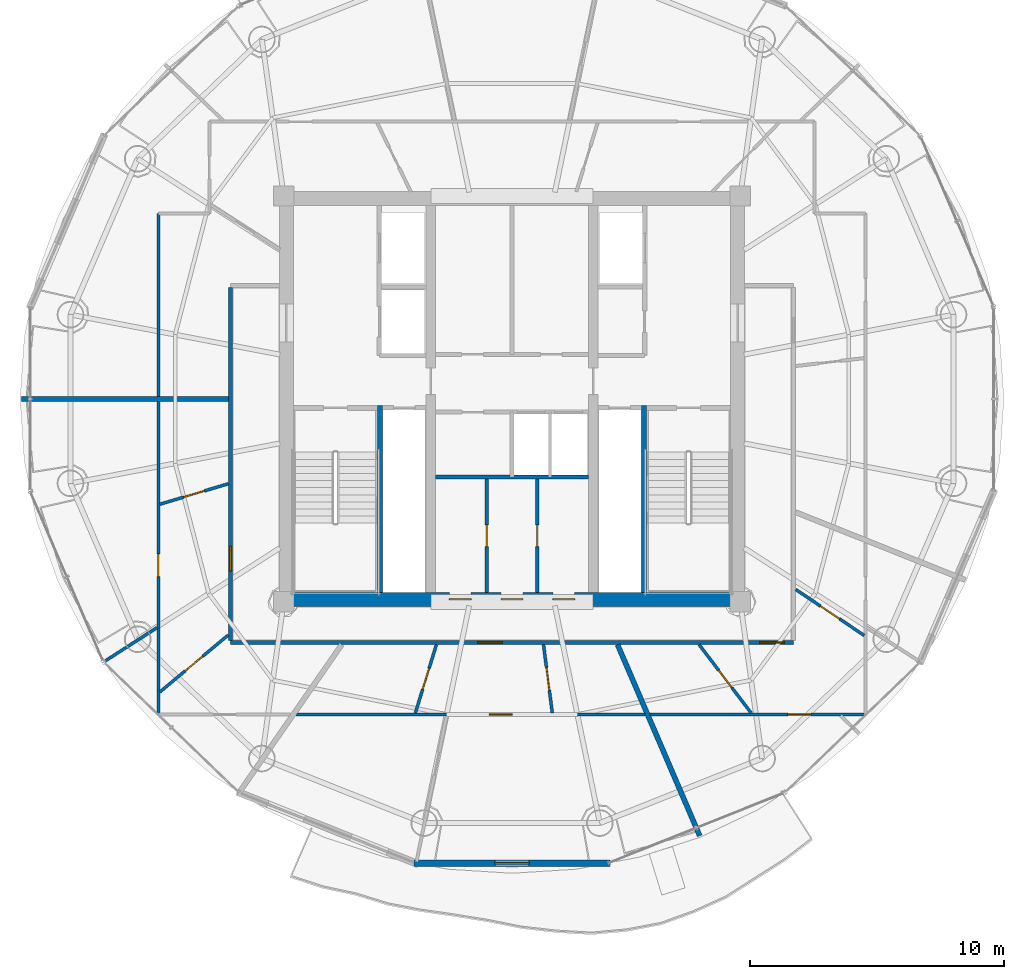
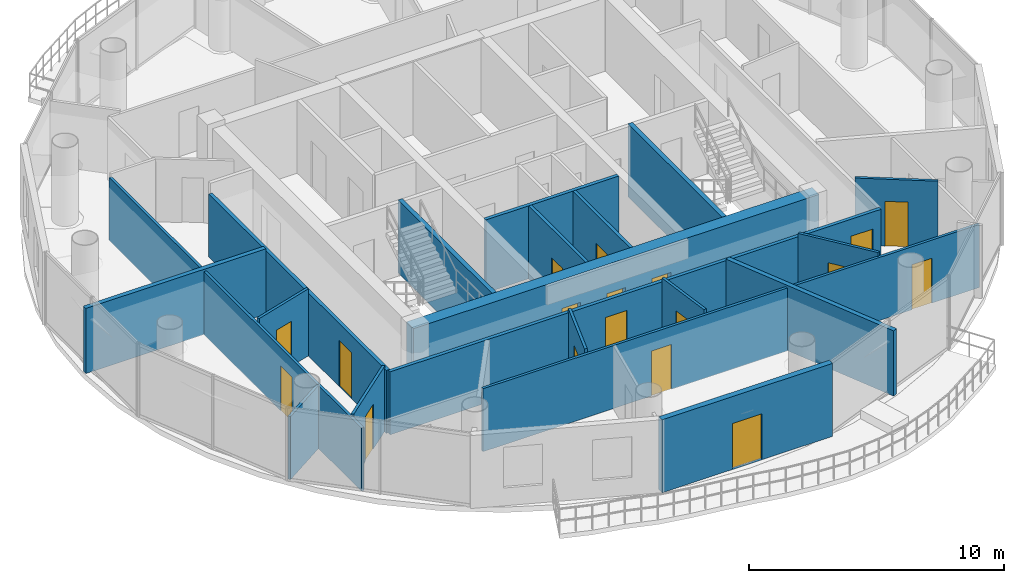
# One storey, part 18 of 24: 22 walls, 18 doors, 18 openings.
"""IFC4 building model written with IfcOpenShell, lengths in metres."""

from ifc_helpers import new_model, si_unit, direction, frame, frame_2d, origin, place, context, subcontext, project, spatial, rectangle, extrude, source, transform, mapped, material, layer, layer_set, type_object, element, fill, save


model = new_model("IFC4")

# Units and contexts
model_context = context("Model", 3, precision=1e-05, world=origin(), true_north=direction((-0.2419218956, 0.970295726276)))
body_context = subcontext(model_context, "Body", "Model", "MODEL_VIEW")
ifc_project = project(units=[si_unit("LENGTHUNIT", "METRE"), si_unit("AREAUNIT", "SQUARE_METRE"), si_unit("VOLUMEUNIT", "CUBIC_METRE"), si_unit("PLANEANGLEUNIT", "RADIAN"), si_unit("MASSUNIT", "GRAM", prefix="KILO")], contexts=[model_context])

# Site, building, storey
site_placement = place(None, origin())
site = spatial("IfcSite", under=ifc_project, at=site_placement, CompositionType="ELEMENT")
building_placement = place(site_placement, origin())
building = spatial("IfcBuilding", under=site, at=building_placement, Name="Cobrevalo Terracotta Tower", CompositionType="ELEMENT")
storey_placement = place(building_placement, frame((0.0, 0.0, 278.199951171875)))
storey = spatial("IfcBuildingStorey", under=building, at=storey_placement, Name="L73", CompositionType="ELEMENT", Elevation=278.199951171875)

# Wall, openings, doors
ifc_material_1 = material(Name="Concrete C50", Category="concrete")
ifc_layer_1 = layer(ifc_material_1, 0.550048828125)
ifc_layer_set_1 = layer_set([ifc_layer_1], Name="Concrete C50")
wall_type_1 = type_object("IfcWallType", Name="Core shear wall 550 mm Concrete C50", PredefinedType="SHEAR", material=ifc_layer_set_1)
wall_1_placement = place(storey_placement, frame((28.824951171875, 18.89990234375, 0.0), z_axis=(0.0, 0.0, 1.0), x_axis=(1.0, 0.0, 0.0)))
wall_1 = element("IfcWall", 1, at=wall_1_placement, inside=storey, type_object=wall_type_1, Name="L73 south core shear wall", PredefinedType="SHEAR", context=body_context, shape_type="SweptSolid", body=[
    extrude(rectangle(XDim=18.35009765625, YDim=0.550048828125, at=frame_2d((9.175048828125, 0.0))), origin(), (0.0, 0.0, 1.0), 3.489990234375),
])
opening_1_placement = place(wall_1_placement, frame((6.7099609375, 0.0, 0.0)))
opening_1 = element("IfcOpeningElement", 2, at=opening_1_placement, cuts=wall_1, Name="Opening ID-22", PredefinedType="OPENING", context=body_context, shape_type="SweptSolid", body=[
    extrude(rectangle(XDim=0.85009765625, YDim=2.10009765625, at=frame_2d((0.425048828125, 1.050048828125))), frame((0.0, 0.28515625, 0.0), z_axis=(0.0, -1.0, 0.0), x_axis=(1.0, 0.0, 0.0)), (0.0, 0.0, 1.0), 0.570068359375),
])
opening_2_placement = place(wall_1_placement, frame((8.75, 0.0, 0.0)))
opening_2 = element("IfcOpeningElement", 3, at=opening_2_placement, cuts=wall_1, Name="Opening ID-22", PredefinedType="OPENING", context=body_context, shape_type="SweptSolid", body=[
    extrude(rectangle(XDim=0.85009765625, YDim=2.10009765625, at=frame_2d((0.425048828125, 1.050048828125))), frame((0.0, 0.28515625, 0.0), z_axis=(0.0, -1.0, 0.0), x_axis=(1.0, 0.0, 0.0)), (0.0, 0.0, 1.0), 0.570068359375),
])
opening_3_placement = place(wall_1_placement, frame((10.7900390625, 0.0, 0.0)))
opening_3 = element("IfcOpeningElement", 4, at=opening_3_placement, cuts=wall_1, Name="Opening ID-22", PredefinedType="OPENING", context=body_context, shape_type="SweptSolid", body=[
    extrude(rectangle(XDim=0.85009765625, YDim=2.10009765625, at=frame_2d((0.425048828125, 1.050048828125))), frame((0.0, 0.28515625, 0.0), z_axis=(0.0, -1.0, 0.0), x_axis=(1.0, 0.0, 0.0)), (0.0, 0.0, 1.0), 0.570068359375),
])
ifc_material_2 = material(Name="Powder-coated steel", Category="steel")
door_type_1 = type_object("IfcDoorType", Name="Riser shaft & meter closet fire access door 850x2100 EI 60", OperationType="NOTDEFINED", PredefinedType="DOOR", material=ifc_material_2)
shared_shape_1 = source(origin(), body_context, "Body", "SweptSolid", [
    extrude(rectangle(XDim=0.85009765625, YDim=2.10009765625, at=frame_2d((0.425048828125, 1.050048828125))), frame((0.0, 0.02490234375, 0.0), z_axis=(0.0, -1.0, 0.0), x_axis=(1.0, 0.0, 0.0)), (0.0, 0.0, 1.0), 0.050048828125),
])
door_1_placement = place(opening_1_placement, origin())
door_1 = element("IfcDoor", 5, at=door_1_placement, inside=storey, type_object=door_type_1, Name="L73 core south plant door HVAC Supply Air Plant", OperationType="SINGLE_SWING_RIGHT", OverallHeight=2.10009765625, OverallWidth=0.85009765625, PredefinedType="DOOR", context=body_context, shape_type="MappedRepresentation", body=[
    mapped(shared_shape_1, transform((0.0, 0.0, 0.0), scale=1.0)),
])
fill(opening_1, door_1)
door_2_placement = place(opening_2_placement, origin())
door_2 = element("IfcDoor", 6, at=door_2_placement, inside=storey, type_object=door_type_1, Name="L73 core south plant door Refuse Chute Store Room", OperationType="SINGLE_SWING_RIGHT", OverallHeight=2.10009765625, OverallWidth=0.85009765625, PredefinedType="DOOR", context=body_context, shape_type="MappedRepresentation", body=[
    mapped(shared_shape_1, transform((0.0, 0.0, 0.0), scale=1.0)),
])
fill(opening_2, door_2)
door_3_placement = place(opening_3_placement, origin())
door_3 = element("IfcDoor", 7, at=door_3_placement, inside=storey, type_object=door_type_1, Name="L73 core south plant door Hydronic Pump Manifold Plant", OperationType="SINGLE_SWING_RIGHT", OverallHeight=2.10009765625, OverallWidth=0.85009765625, PredefinedType="DOOR", context=body_context, shape_type="MappedRepresentation", body=[
    mapped(shared_shape_1, transform((0.0, 0.0, 0.0), scale=1.0)),
])
fill(opening_3, door_3)

# Wall
ifc_material_3 = material(Name="Gypsum board on steel stud", Category="steel")
ifc_layer_2 = layer(ifc_material_3, 0.159912109375)
ifc_layer_set_2 = layer_set([ifc_layer_2], Name="Gypsum board on steel stud")
wall_type_2 = type_object("IfcWallType", Name="Fire-rated corridor acoustic partition wall 160 mm", PredefinedType="PARTITIONING", material=ifc_layer_set_2)
wall_2_placement = place(storey_placement, frame((34.989990234375, 23.719970703125, 0.0), z_axis=(0.0, 0.0, 1.0), x_axis=(1.0, 0.0, 0.0)))
element("IfcWall", 8, at=wall_2_placement, inside=storey, type_object=wall_type_2, Name="L73 interior partition IW-L73-MB-S", PredefinedType="PARTITIONING", context=body_context, shape_type="SweptSolid", body=[
    extrude(rectangle(XDim=6.02001953125, YDim=0.159912109375, at=frame_2d((3.010009765625, 0.0))), origin(), (0.0, 0.0, 1.0), 3.489990234375),
])

# Wall, openings, doors
wall_3_placement = place(storey_placement, frame((26.89501953125, 17.195068359375, 0.0), z_axis=(0.0, 0.0, 1.0), x_axis=(1.0, 0.0, 0.0)))
wall_3 = element("IfcWall", 9, at=wall_3_placement, inside=storey, type_object=wall_type_2, Name="L73 interior partition IW-L73-COR-S", PredefinedType="PARTITIONING", context=body_context, shape_type="SweptSolid", body=[
    extrude(rectangle(XDim=22.2099609375, YDim=0.159912109375, at=frame_2d((11.10498046875, 0.0))), origin(), (0.0, 0.0, 1.0), 3.01513671875),
])
opening_4_placement = place(wall_3_placement, frame((9.746337890625, 0.0, 0.0)))
opening_4 = element("IfcOpeningElement", 10, at=opening_4_placement, cuts=wall_3, Name="Opening ID-05", PredefinedType="OPENING", context=body_context, shape_type="SweptSolid", body=[
    extrude(rectangle(XDim=0.97998046875, YDim=2.199951171875, at=frame_2d((0.489990234375, 1.10009765625))), frame((0.0, 0.08984375, 0.0), z_axis=(0.0, -1.0, 0.0), x_axis=(1.0, 0.0, 0.0)), (0.0, 0.0, 1.0), 0.179931640625),
])
opening_5_placement = place(wall_3_placement, frame((20.8642578125, 0.0, 0.0)))
opening_5 = element("IfcOpeningElement", 11, at=opening_5_placement, cuts=wall_3, Name="Opening ID-05", PredefinedType="OPENING", context=body_context, shape_type="SweptSolid", body=[
    extrude(rectangle(XDim=0.97998046875, YDim=2.199951171875, at=frame_2d((0.489990234375, 1.10009765625))), frame((0.0, 0.08984375, 0.0), z_axis=(0.0, -1.0, 0.0), x_axis=(1.0, 0.0, 0.0)), (0.0, 0.0, 1.0), 0.179931640625),
])
ifc_material_4 = material(Name="Solid hardwood timber", Category="wood")
door_type_2 = type_object("IfcDoorType", Name="Residence entrance fire-rated acoustic timber door 980x2200 EI 60", OperationType="NOTDEFINED", PredefinedType="DOOR", material=ifc_material_4)
shared_shape_2 = source(origin(), body_context, "Body", "SweptSolid", [
    extrude(rectangle(XDim=0.97998046875, YDim=2.199951171875, at=frame_2d((0.489990234375, 1.10009765625))), frame((0.0, 0.02490234375, 0.0), z_axis=(0.0, -1.0, 0.0), x_axis=(1.0, 0.0, 0.0)), (0.0, 0.0, 1.0), 0.050048828125),
])
door_4_placement = place(opening_4_placement, frame((0.97998046875, 0.0, 0.0), z_axis=(0.0, 0.0, 1.0), x_axis=(-1.0, 0.0, 0.0)))
door_4 = element("IfcDoor", 12, at=door_4_placement, inside=storey, type_object=door_type_2, Name="Flat L73C fire-rated apartment entrance door", OperationType="SINGLE_SWING_RIGHT", OverallHeight=2.199951171875, OverallWidth=0.97998046875, PredefinedType="DOOR", context=body_context, shape_type="MappedRepresentation", body=[
    mapped(shared_shape_2, transform((0.0, 0.0, 0.0), scale=1.0)),
])
fill(opening_4, door_4)
door_5_placement = place(opening_5_placement, frame((0.97998046875, 0.0, 0.0), z_axis=(0.0, 0.0, 1.0), x_axis=(-1.0, 0.0, 0.0)))
door_5 = element("IfcDoor", 13, at=door_5_placement, inside=storey, type_object=door_type_2, Name="Flat L73D fire-rated apartment entrance door", OperationType="SINGLE_SWING_LEFT", OverallHeight=2.199951171875, OverallWidth=0.97998046875, PredefinedType="DOOR", context=body_context, shape_type="MappedRepresentation", body=[
    mapped(shared_shape_2, transform((0.0, 0.0, 0.0), scale=1.0)),
])
fill(opening_5, door_5)

# Wall, opening, door
wall_4_placement = place(storey_placement, frame((26.89501953125, 17.27490234375, 0.0), z_axis=(0.0, 0.0, 1.0), x_axis=(0.0, 1.0, 0.0)))
wall_4 = element("IfcWall", 14, at=wall_4_placement, inside=storey, type_object=wall_type_2, Name="L73 interior partition IW-L73-COR-W", PredefinedType="PARTITIONING", context=body_context, shape_type="SweptSolid", body=[
    extrude(rectangle(XDim=13.925048828125, YDim=0.159912109375, at=frame_2d((6.96240234375, 0.0))), origin(), (0.0, 0.0, 1.0), 3.01513671875),
])
opening_6_placement = place(wall_4_placement, frame((2.734619140625, 0.0, 0.0)))
opening_6 = element("IfcOpeningElement", 15, at=opening_6_placement, cuts=wall_4, Name="Opening ID-05", PredefinedType="OPENING", context=body_context, shape_type="SweptSolid", body=[
    extrude(rectangle(XDim=0.97998046875, YDim=2.199951171875, at=frame_2d((0.489990234375, 1.10009765625))), frame((0.0, 0.08984375, 0.0), z_axis=(0.0, -1.0, 0.0), x_axis=(1.0, 0.0, 0.0)), (0.0, 0.0, 1.0), 0.179931640625),
])
door_6_placement = place(opening_6_placement, origin())
door_6 = element("IfcDoor", 16, at=door_6_placement, inside=storey, type_object=door_type_2, Name="Flat L73B fire-rated apartment entrance door", OperationType="SINGLE_SWING_LEFT", OverallHeight=2.199951171875, OverallWidth=0.97998046875, PredefinedType="DOOR", context=body_context, shape_type="MappedRepresentation", body=[
    mapped(shared_shape_2, transform((0.0, 0.0, 0.0), scale=1.0)),
])
fill(opening_6, door_6)

# Walls
ifc_material_5 = material(Name="Autoclaved aerated concrete block", Category="concrete")
ifc_layer_3 = layer(ifc_material_5, 0.199951171875)
ifc_layer_set_3 = layer_set([ifc_layer_3], Name="Autoclaved aerated concrete block")
wall_type_3 = type_object("IfcWallType", Name="Fire-rated stair, shaft & demising masonry wall 200 mm", PredefinedType="PARTITIONING", material=ifc_layer_set_3)
wall_5_placement = place(storey_placement, frame((26.81494140625, 26.800048828125, 0.0), z_axis=(0.0, 0.0, 1.0), x_axis=(-1.0, 0.0, 0.0)))
element("IfcWall", 17, at=wall_5_placement, inside=storey, type_object=wall_type_3, Name="L73 interior partition IW-L73-DEM-2", PredefinedType="PARTITIONING", context=body_context, shape_type="SweptSolid", body=[
    extrude(rectangle(XDim=8.155029296875, YDim=0.199951171875, at=frame_2d((4.07763671875, 0.0))), origin(), (0.0, 0.0, 1.0), 3.12109375),
])
wall_6_placement = place(storey_placement, frame((42.161865234375, 17.114990234375, 0.0), z_axis=(0.0, 0.0, 1.0), x_axis=(0.394795631127, -0.918768964236, 0.0)))
element("IfcWall", 18, at=wall_6_placement, inside=storey, type_object=wall_type_3, Name="L73 interior partition IW-L73-DEM-4", PredefinedType="PARTITIONING", context=body_context, shape_type="SweptSolid", body=[
    extrude(rectangle(XDim=8.202392578125, YDim=0.199951171875, at=frame_2d((4.10107421875, 0.0))), origin(), (0.0, 0.0, 1.0), 3.12109375),
])

# Wall, opening, door
ifc_layer_4 = layer(ifc_material_5, 0.139892578125)
ifc_layer_set_4 = layer_set([ifc_layer_4], Name="Autoclaved aerated concrete block")
wall_type_4 = type_object("IfcWallType", Name="Moisture-resistant wet-room & core service partition 140 mm", PredefinedType="PARTITIONING", material=ifc_layer_set_4)
wall_7_placement = place(storey_placement, frame((37.0, 19.175048828125, 0.0), z_axis=(0.0, 0.0, 1.0), x_axis=(0.0, 1.0, 0.0)))
wall_7 = element("IfcWall", 19, at=wall_7_placement, inside=storey, type_object=wall_type_4, Name="L73 interior partition IW-L73-KVS-V1", PredefinedType="PARTITIONING", context=body_context, shape_type="SweptSolid", body=[
    extrude(rectangle(XDim=4.46484375, YDim=0.139892578125, at=frame_2d((2.232421875, 0.0))), origin(), (0.0, 0.0, 1.0), 3.489990234375),
])
opening_7_placement = place(wall_7_placement, frame((1.8076171875, 0.0, 0.0)))
opening_7 = element("IfcOpeningElement", 20, at=opening_7_placement, cuts=wall_7, Name="Opening ID-22", PredefinedType="OPENING", context=body_context, shape_type="SweptSolid", body=[
    extrude(rectangle(XDim=0.85009765625, YDim=2.10009765625, at=frame_2d((0.425048828125, 1.050048828125))), frame((0.0, 0.080078125, 0.0), z_axis=(0.0, -1.0, 0.0), x_axis=(1.0, 0.0, 0.0)), (0.0, 0.0, 1.0), 0.159912109375),
])
door_7_placement = place(opening_7_placement, origin())
door_7 = element("IfcDoor", 21, at=door_7_placement, inside=storey, type_object=door_type_1, Name="L73 core KVS-V1 inner door", OperationType="SINGLE_SWING_LEFT", OverallHeight=2.10009765625, OverallWidth=0.85009765625, PredefinedType="DOOR", context=body_context, shape_type="MappedRepresentation", body=[
    mapped(shared_shape_1, transform((0.0, 0.0, 0.0), scale=1.0)),
])
fill(opening_7, door_7)

wall_8_placement = place(storey_placement, frame((39.0, 19.175048828125, 0.0), z_axis=(0.0, 0.0, 1.0), x_axis=(0.0, 1.0, 0.0)))
wall_8 = element("IfcWall", 22, at=wall_8_placement, inside=storey, type_object=wall_type_4, Name="L73 interior partition IW-L73-KVS-V2", PredefinedType="PARTITIONING", context=body_context, shape_type="SweptSolid", body=[
    extrude(rectangle(XDim=4.46484375, YDim=0.139892578125, at=frame_2d((2.232421875, 0.0))), origin(), (0.0, 0.0, 1.0), 3.489990234375),
])
opening_8_placement = place(wall_8_placement, frame((1.8076171875, 0.0, 0.0)))
opening_8 = element("IfcOpeningElement", 23, at=opening_8_placement, cuts=wall_8, Name="Opening ID-22", PredefinedType="OPENING", context=body_context, shape_type="SweptSolid", body=[
    extrude(rectangle(XDim=0.85009765625, YDim=2.10009765625, at=frame_2d((0.425048828125, 1.050048828125))), frame((0.0, 0.080078125, 0.0), z_axis=(0.0, -1.0, 0.0), x_axis=(1.0, 0.0, 0.0)), (0.0, 0.0, 1.0), 0.159912109375),
])
door_8_placement = place(opening_8_placement, origin())
door_8 = element("IfcDoor", 24, at=door_8_placement, inside=storey, type_object=door_type_1, Name="L73 core KVS-V2 inner door", OperationType="SINGLE_SWING_LEFT", OverallHeight=2.10009765625, OverallWidth=0.85009765625, PredefinedType="DOOR", context=body_context, shape_type="MappedRepresentation", body=[
    mapped(shared_shape_1, transform((0.0, 0.0, 0.0), scale=1.0)),
])
fill(opening_8, door_8)

ifc_layer_5 = layer(ifc_material_5, 0.260009765625)
ifc_layer_set_5 = layer_set([ifc_layer_5], Name="Autoclaved aerated concrete block")
wall_type_5 = type_object("IfcWallType", Name="Recessed balcony loggia insulated exterior wall 260 mm", PredefinedType="SOLIDWALL", material=ifc_layer_set_5)
wall_9_placement = place(storey_placement, frame((34.14111328125, 8.48876953125, 0.0), z_axis=(0.0, 0.0, 1.0), x_axis=(1.0, 0.0, 0.0)))
wall_9 = element("IfcWall", 25, at=wall_9_placement, inside=storey, type_object=wall_type_5, Name="L73 balcony loggia wall S12", PredefinedType="SOLIDWALL", context=body_context, shape_type="SweptSolid", body=[
    extrude(rectangle(XDim=7.7177734375, YDim=0.260009765625, at=frame_2d((3.85888671875, 0.0))), origin(), (0.0, 0.0, 1.0), 3.489990234375),
])
opening_9_placement = place(wall_9_placement, frame((3.183837890625, 0.0, 0.0)))
opening_9 = element("IfcOpeningElement", 26, at=opening_9_placement, cuts=wall_9, Name="Opening ED-05", PredefinedType="OPENING", context=body_context, shape_type="SweptSolid", body=[
    extrude(rectangle(XDim=1.35009765625, YDim=2.199951171875, at=frame_2d((0.675048828125, 1.10009765625))), frame((0.0, 0.14013671875, 0.0), z_axis=(0.0, -1.0, 0.0), x_axis=(1.0, 0.0, 0.0)), (0.0, 0.0, 1.0), 0.280029296875),
])
ifc_material_6 = material(Name="Anodized aluminium and laminated glass", Category="aluminium")
door_type_3 = type_object("IfcDoorType", Name="Suite balcony acoustic glazed terrace door 1350x2200", OperationType="NOTDEFINED", PredefinedType="DOOR", material=ifc_material_6)
shared_shape_3 = source(origin(), body_context, "Body", "SweptSolid", [
    extrude(rectangle(XDim=1.35009765625, YDim=2.199951171875, at=frame_2d((0.675048828125, 1.10009765625))), frame((0.0, 0.02490234375, 0.0), z_axis=(0.0, -1.0, 0.0), x_axis=(1.0, 0.0, 0.0)), (0.0, 0.0, 1.0), 0.050048828125),
])
door_9_placement = place(opening_9_placement, frame((1.35009765625, 0.0, 0.0), z_axis=(0.0, 0.0, 1.0), x_axis=(-1.0, 0.0, 0.0)))
door_9 = element("IfcDoor", 27, at=door_9_placement, inside=storey, type_object=door_type_3, Name="L73 glazed balcony terrace door 2", OperationType="SINGLE_SWING_RIGHT", OverallHeight=2.199951171875, OverallWidth=1.35009765625, PredefinedType="DOOR", context=body_context, shape_type="MappedRepresentation", body=[
    mapped(shared_shape_3, transform((0.0, 0.0, 0.0), scale=1.0)),
])
fill(opening_9, door_9)

# Wall
ifc_layer_6 = layer(ifc_material_3, 0.1201171875)
ifc_layer_set_6 = layer_set([ifc_layer_6], Name="Gypsum board on steel stud")
wall_type_6 = type_object("IfcWallType", Name="Residential internal acoustic stud partition 120 mm", PredefinedType="PARTITIONING", material=ifc_layer_set_6)
wall_10_placement = place(storey_placement, frame((24.054931640625, 26.902099609375, 0.0), z_axis=(0.0, 0.0, 1.0), x_axis=(0.0, 1.0, 0.0)))
element("IfcWall", 28, at=wall_10_placement, inside=storey, type_object=wall_type_6, Name="L73 interior partition IW-L73-U1-RING0_0", PredefinedType="PARTITIONING", context=body_context, shape_type="SweptSolid", body=[
    extrude(rectangle(XDim=7.218017578125, YDim=0.1201171875, at=frame_2d((3.60888671875, 0.0))), origin(), (0.0, 0.0, 1.0), 3.01513671875),
])

# Wall, opening, door
wall_11_placement = place(storey_placement, frame((24.054931640625, 14.35498046875, 0.0), z_axis=(0.0, 0.0, 1.0), x_axis=(0.0, 1.0, 0.0)))
wall_11 = element("IfcWall", 29, at=wall_11_placement, inside=storey, type_object=wall_type_6, Name="L73 interior partition IW-L73-U2-RING1_0", PredefinedType="PARTITIONING", context=body_context, shape_type="SweptSolid", body=[
    extrude(rectangle(XDim=12.343017578125, YDim=0.1201171875, at=frame_2d((6.17138671875, 0.0))), origin(), (0.0, 0.0, 1.0), 3.01513671875),
])
opening_10_placement = place(wall_11_placement, frame((5.442138671875, 0.0, 0.0)))
opening_10 = element("IfcOpeningElement", 30, at=opening_10_placement, cuts=wall_11, Name="Opening ID-12", PredefinedType="OPENING", context=body_context, shape_type="SweptSolid", body=[
    extrude(rectangle(XDim=0.89990234375, YDim=2.14990234375, at=frame_2d((0.449951171875, 1.074951171875))), frame((0.0, 0.070068359375, 0.0), z_axis=(0.0, -1.0, 0.0), x_axis=(1.0, 0.0, 0.0)), (0.0, 0.0, 1.0), 0.14013671875),
])
ifc_material_7 = material(Name="Engineered timber", Category="wood")
door_type_4 = type_object("IfcDoorType", Name="Internal residence & suite timber door 900x2150", OperationType="NOTDEFINED", PredefinedType="DOOR", material=ifc_material_7)
shared_shape_4 = source(origin(), body_context, "Body", "SweptSolid", [
    extrude(rectangle(XDim=0.89990234375, YDim=2.14990234375, at=frame_2d((0.449951171875, 1.074951171875))), frame((0.0, 0.02490234375, 0.0), z_axis=(0.0, -1.0, 0.0), x_axis=(1.0, 0.0, 0.0)), (0.0, 0.0, 1.0), 0.050048828125),
])
door_10_placement = place(opening_10_placement, origin())
door_10 = element("IfcDoor", 31, at=door_10_placement, inside=storey, type_object=door_type_4, Name="Flat L73B Living and Dining Room internal door", OperationType="SINGLE_SWING_LEFT", OverallHeight=2.14990234375, OverallWidth=0.89990234375, PredefinedType="DOOR", context=body_context, shape_type="MappedRepresentation", body=[
    mapped(shared_shape_4, transform((0.0, 0.0, 0.0), scale=1.0)),
])
fill(opening_10, door_10)

# Wall
wall_12_placement = place(storey_placement, frame((24.0029296875, 17.784912109375, 0.0), z_axis=(0.0, 0.0, 1.0), x_axis=(-0.840715962824, -0.541476379774, 0.0)))
element("IfcWall", 32, at=wall_12_placement, inside=storey, type_object=wall_type_6, Name="L73 interior partition IW-L73-U2-ORAD1", PredefinedType="PARTITIONING", context=body_context, shape_type="SweptSolid", body=[
    extrude(rectangle(XDim=2.43701171875, YDim=0.1201171875, at=frame_2d((1.218505859375, 0.0))), origin(), (0.0, 0.0, 1.0), 3.01513671875),
])

# Wall, opening, door
wall_13_placement = place(storey_placement, frame((26.81494140625, 23.4560546875, 0.0), z_axis=(0.0, 0.0, 1.0), x_axis=(-0.958095258025, -0.286449780154, 0.0)))
wall_13 = element("IfcWall", 33, at=wall_13_placement, inside=storey, type_object=wall_type_6, Name="L73 interior partition IW-L73-U2-IRAD1", PredefinedType="PARTITIONING", context=body_context, shape_type="SweptSolid", body=[
    extrude(rectangle(XDim=2.818603515625, YDim=0.1201171875, at=frame_2d((1.4091796875, 0.0))), origin(), (0.0, 0.0, 1.0), 3.208984375),
])
opening_11_placement = place(wall_13_placement, frame((0.9794921875, 0.0, 0.0)))
opening_11 = element("IfcOpeningElement", 34, at=opening_11_placement, cuts=wall_13, Name="Opening ID-19", PredefinedType="OPENING", context=body_context, shape_type="SweptSolid", body=[
    extrude(rectangle(XDim=0.860107421875, YDim=2.14990234375, at=frame_2d((0.43017578125, 1.074951171875))), frame((0.0, 0.070068359375, 0.0), z_axis=(0.0, -1.0, 0.0), x_axis=(1.0, 0.0, 0.0)), (0.0, 0.0, 1.0), 0.14013671875),
])
ifc_material_8 = material(Name="Moisture-sealed timber", Category="wood")
door_type_5 = type_object("IfcDoorType", Name="Suite bathroom internal timber door 860x2150", OperationType="NOTDEFINED", PredefinedType="DOOR", material=ifc_material_8)
shared_shape_5 = source(origin(), body_context, "Body", "SweptSolid", [
    extrude(rectangle(XDim=0.860107421875, YDim=2.14990234375, at=frame_2d((0.43017578125, 1.074951171875))), frame((0.0, 0.02490234375, 0.0), z_axis=(0.0, -1.0, 0.0), x_axis=(1.0, 0.0, 0.0)), (0.0, 0.0, 1.0), 0.050048828125),
])
door_11_placement = place(opening_11_placement, frame((0.860107421875, 0.0, 0.0), z_axis=(0.0, 0.0, 1.0), x_axis=(-1.0, 0.0, 0.0)))
door_11 = element("IfcDoor", 35, at=door_11_placement, inside=storey, type_object=door_type_5, Name="Flat L73B Primary Bathroom internal door", OperationType="SINGLE_SWING_RIGHT", OverallHeight=2.14990234375, OverallWidth=0.860107421875, PredefinedType="DOOR", context=body_context, shape_type="MappedRepresentation", body=[
    mapped(shared_shape_5, transform((0.0, 0.0, 0.0), scale=1.0)),
])
fill(opening_11, door_11)

wall_14_placement = place(storey_placement, frame((26.81494140625, 17.493408203125, 0.0), z_axis=(0.0, 0.0, 1.0), x_axis=(-0.768708794437, -0.639598928513, 0.0)))
wall_14 = element("IfcWall", 36, at=wall_14_placement, inside=storey, type_object=wall_type_6, Name="L73 interior partition IW-L73-U2-IRAD2", PredefinedType="PARTITIONING", context=body_context, shape_type="SweptSolid", body=[
    extrude(rectangle(XDim=3.528564453125, YDim=0.1201171875, at=frame_2d((1.76416015625, 0.0))), origin(), (0.0, 0.0, 1.0), 3.12109375),
])
opening_12_placement = place(wall_14_placement, frame((1.314208984375, 0.0, 0.0)))
opening_12 = element("IfcOpeningElement", 37, at=opening_12_placement, cuts=wall_14, Name="Opening ID-12", PredefinedType="OPENING", context=body_context, shape_type="SweptSolid", body=[
    extrude(rectangle(XDim=0.89990234375, YDim=2.14990234375, at=frame_2d((0.449951171875, 1.074951171875))), frame((0.0, 0.070068359375, 0.0), z_axis=(0.0, -1.0, 0.0), x_axis=(1.0, 0.0, 0.0)), (0.0, 0.0, 1.0), 0.14013671875),
])
door_12_placement = place(opening_12_placement, origin())
door_12 = element("IfcDoor", 38, at=door_12_placement, inside=storey, type_object=door_type_4, Name="Flat L73B Kitchen internal door", OperationType="SINGLE_SWING_RIGHT", OverallHeight=2.14990234375, OverallWidth=0.89990234375, PredefinedType="DOOR", context=body_context, shape_type="MappedRepresentation", body=[
    mapped(shared_shape_4, transform((0.0, 0.0, 0.0), scale=1.0)),
])
fill(opening_12, door_12)

wall_15_placement = place(storey_placement, frame((43.245849609375, 14.35498046875, 0.0), z_axis=(0.0, 0.0, 1.0), x_axis=(-1.0, 0.0, 0.0)))
wall_15 = element("IfcWall", 39, at=wall_15_placement, inside=storey, type_object=wall_type_6, Name="L73 interior partition IW-L73-U3-RING0_0", PredefinedType="PARTITIONING", context=body_context, shape_type="SweptSolid", body=[
    extrude(rectangle(XDim=13.7705078125, YDim=0.1201171875, at=frame_2d((6.88525390625, 0.0))), origin(), (0.0, 0.0, 1.0), 3.01513671875),
])
opening_13_placement = place(wall_15_placement, frame((5.244140625, 0.0, 0.0)))
opening_13 = element("IfcOpeningElement", 40, at=opening_13_placement, cuts=wall_15, Name="Opening ID-12", PredefinedType="OPENING", context=body_context, shape_type="SweptSolid", body=[
    extrude(rectangle(XDim=0.89990234375, YDim=2.14990234375, at=frame_2d((0.449951171875, 1.074951171875))), frame((0.0, 0.070068359375, 0.0), z_axis=(0.0, -1.0, 0.0), x_axis=(1.0, 0.0, 0.0)), (0.0, 0.0, 1.0), 0.14013671875),
])
door_13_placement = place(opening_13_placement, origin())
door_13 = element("IfcDoor", 41, at=door_13_placement, inside=storey, type_object=door_type_4, Name="Flat L73C Master Bedroom internal door", OperationType="SINGLE_SWING_LEFT", OverallHeight=2.14990234375, OverallWidth=0.89990234375, PredefinedType="DOOR", context=body_context, shape_type="MappedRepresentation", body=[
    mapped(shared_shape_4, transform((0.0, 0.0, 0.0), scale=1.0)),
])
fill(opening_13, door_13)

wall_16_placement = place(storey_placement, frame((35.020263671875, 17.114990234375, 0.0), z_axis=(0.0, 0.0, 1.0), x_axis=(-0.294110134522, -0.955771535866, 0.0)))
wall_16 = element("IfcWall", 42, at=wall_16_placement, inside=storey, type_object=wall_type_6, Name="L73 interior partition IW-L73-U3-IRAD1", PredefinedType="PARTITIONING", context=body_context, shape_type="SweptSolid", body=[
    extrude(rectangle(XDim=2.82568359375, YDim=0.1201171875, at=frame_2d((1.412841796875, 0.0))), origin(), (0.0, 0.0, 1.0), 3.208984375),
])
opening_14_placement = place(wall_16_placement, frame((0.98291015625, 0.0, 0.0)))
opening_14 = element("IfcOpeningElement", 43, at=opening_14_placement, cuts=wall_16, Name="Opening ID-19", PredefinedType="OPENING", context=body_context, shape_type="SweptSolid", body=[
    extrude(rectangle(XDim=0.860107421875, YDim=2.14990234375, at=frame_2d((0.43017578125, 1.074951171875))), frame((0.0, 0.070068359375, 0.0), z_axis=(0.0, -1.0, 0.0), x_axis=(1.0, 0.0, 0.0)), (0.0, 0.0, 1.0), 0.14013671875),
])
door_14_placement = place(opening_14_placement, frame((0.860107421875, 0.0, 0.0), z_axis=(0.0, 0.0, 1.0), x_axis=(-1.0, 0.0, 0.0)))
door_14 = element("IfcDoor", 44, at=door_14_placement, inside=storey, type_object=door_type_5, Name="Flat L73C Primary Bathroom internal door", OperationType="SINGLE_SWING_LEFT", OverallHeight=2.14990234375, OverallWidth=0.860107421875, PredefinedType="DOOR", context=body_context, shape_type="MappedRepresentation", body=[
    mapped(shared_shape_5, transform((0.0, 0.0, 0.0), scale=1.0)),
])
fill(opening_14, door_14)

wall_17_placement = place(storey_placement, frame((39.24267578125, 17.114990234375, 0.0), z_axis=(0.0, 0.0, 1.0), x_axis=(0.127336357758, -0.991859592882, 0.0)))
wall_17 = element("IfcWall", 45, at=wall_17_placement, inside=storey, type_object=wall_type_6, Name="L73 interior partition IW-L73-U3-IRAD2", PredefinedType="PARTITIONING", context=body_context, shape_type="SweptSolid", body=[
    extrude(rectangle(XDim=2.720703125, YDim=0.1201171875, at=frame_2d((1.3603515625, 0.0))), origin(), (0.0, 0.0, 1.0), 3.208984375),
])
opening_15_placement = place(wall_17_placement, frame((0.910400390625, 0.0, 0.0)))
opening_15 = element("IfcOpeningElement", 46, at=opening_15_placement, cuts=wall_17, Name="Opening ID-12", PredefinedType="OPENING", context=body_context, shape_type="SweptSolid", body=[
    extrude(rectangle(XDim=0.89990234375, YDim=2.14990234375, at=frame_2d((0.449951171875, 1.074951171875))), frame((0.0, 0.070068359375, 0.0), z_axis=(0.0, -1.0, 0.0), x_axis=(1.0, 0.0, 0.0)), (0.0, 0.0, 1.0), 0.14013671875),
])
door_15_placement = place(opening_15_placement, origin())
door_15 = element("IfcDoor", 47, at=door_15_placement, inside=storey, type_object=door_type_4, Name="Flat L73C Kitchen internal door", OperationType="SINGLE_SWING_RIGHT", OverallHeight=2.14990234375, OverallWidth=0.89990234375, PredefinedType="DOOR", context=body_context, shape_type="MappedRepresentation", body=[
    mapped(shared_shape_4, transform((0.0, 0.0, 0.0), scale=1.0)),
])
fill(opening_15, door_15)

wall_18_placement = place(storey_placement, frame((51.945068359375, 14.35498046875, 0.0), z_axis=(0.0, 0.0, 1.0), x_axis=(-1.0, 0.0, 0.0)))
wall_18 = element("IfcWall", 48, at=wall_18_placement, inside=storey, type_object=wall_type_6, Name="L73 interior partition IW-L73-U4-RING1_0", PredefinedType="PARTITIONING", context=body_context, shape_type="SweptSolid", body=[
    extrude(rectangle(XDim=8.4951171875, YDim=0.1201171875, at=frame_2d((4.24755859375, 0.0))), origin(), (0.0, 0.0, 1.0), 3.01513671875),
])
opening_16_placement = place(wall_18_placement, frame((2.164306640625, 0.0, 0.0)))
opening_16 = element("IfcOpeningElement", 49, at=opening_16_placement, cuts=wall_18, Name="Opening ID-12", PredefinedType="OPENING", context=body_context, shape_type="SweptSolid", body=[
    extrude(rectangle(XDim=0.89990234375, YDim=2.14990234375, at=frame_2d((0.449951171875, 1.074951171875))), frame((0.0, 0.070068359375, 0.0), z_axis=(0.0, -1.0, 0.0), x_axis=(1.0, 0.0, 0.0)), (0.0, 0.0, 1.0), 0.14013671875),
])
door_16_placement = place(opening_16_placement, origin())
door_16 = element("IfcDoor", 50, at=door_16_placement, inside=storey, type_object=door_type_4, Name="Flat L73D Living and Dining Room internal door", OperationType="SINGLE_SWING_LEFT", OverallHeight=2.14990234375, OverallWidth=0.89990234375, PredefinedType="DOOR", context=body_context, shape_type="MappedRepresentation", body=[
    mapped(shared_shape_4, transform((0.0, 0.0, 0.0), scale=1.0)),
])
fill(opening_16, door_16)

wall_19_placement = place(storey_placement, frame((45.376708984375, 17.114990234375, 0.0), z_axis=(0.0, 0.0, 1.0), x_axis=(0.60588776962, -0.795550130806, 0.0)))
wall_19 = element("IfcWall", 51, at=wall_19_placement, inside=storey, type_object=wall_type_6, Name="L73 interior partition IW-L73-U4-IRAD1", PredefinedType="PARTITIONING", context=body_context, shape_type="SweptSolid", body=[
    extrude(rectangle(XDim=3.4072265625, YDim=0.1201171875, at=frame_2d((1.70361328125, 0.0))), origin(), (0.0, 0.0, 1.0), 3.208984375),
])
opening_17_placement = place(wall_19_placement, frame((1.273681640625, 0.0, 0.0)))
opening_17 = element("IfcOpeningElement", 52, at=opening_17_placement, cuts=wall_19, Name="Opening ID-19", PredefinedType="OPENING", context=body_context, shape_type="SweptSolid", body=[
    extrude(rectangle(XDim=0.860107421875, YDim=2.14990234375, at=frame_2d((0.43017578125, 1.074951171875))), frame((0.0, 0.070068359375, 0.0), z_axis=(0.0, -1.0, 0.0), x_axis=(1.0, 0.0, 0.0)), (0.0, 0.0, 1.0), 0.14013671875),
])
door_17_placement = place(opening_17_placement, frame((0.860107421875, 0.0, 0.0), z_axis=(0.0, 0.0, 1.0), x_axis=(-1.0, 0.0, 0.0)))
door_17 = element("IfcDoor", 53, at=door_17_placement, inside=storey, type_object=door_type_5, Name="Flat L73D Primary Bathroom internal door", OperationType="SINGLE_SWING_RIGHT", OverallHeight=2.14990234375, OverallWidth=0.860107421875, PredefinedType="DOOR", context=body_context, shape_type="MappedRepresentation", body=[
    mapped(shared_shape_5, transform((0.0, 0.0, 0.0), scale=1.0)),
])
fill(opening_17, door_17)

wall_20_placement = place(storey_placement, frame((49.18505859375, 19.290283203125, 0.0), z_axis=(0.0, 0.0, 1.0), x_axis=(0.830215193761, -0.557443030316, 0.0)))
wall_20 = element("IfcWall", 54, at=wall_20_placement, inside=storey, type_object=wall_type_6, Name="L73 interior partition IW-L73-U4-IRAD2", PredefinedType="PARTITIONING", context=body_context, shape_type="SweptSolid", body=[
    extrude(rectangle(XDim=3.262451171875, YDim=0.1201171875, at=frame_2d((1.63134765625, 0.0))), origin(), (0.0, 0.0, 1.0), 3.208984375),
])
opening_18_placement = place(wall_20_placement, frame((1.18115234375, 0.0, 0.0)))
opening_18 = element("IfcOpeningElement", 55, at=opening_18_placement, cuts=wall_20, Name="Opening ID-12", PredefinedType="OPENING", context=body_context, shape_type="SweptSolid", body=[
    extrude(rectangle(XDim=0.89990234375, YDim=2.14990234375, at=frame_2d((0.449951171875, 1.074951171875))), frame((0.0, 0.070068359375, 0.0), z_axis=(0.0, -1.0, 0.0), x_axis=(1.0, 0.0, 0.0)), (0.0, 0.0, 1.0), 0.14013671875),
])
door_18_placement = place(opening_18_placement, origin())
door_18 = element("IfcDoor", 56, at=door_18_placement, inside=storey, type_object=door_type_4, Name="Flat L73D Kitchen internal door", OperationType="SINGLE_SWING_RIGHT", OverallHeight=2.14990234375, OverallWidth=0.89990234375, PredefinedType="DOOR", context=body_context, shape_type="MappedRepresentation", body=[
    mapped(shared_shape_4, transform((0.0, 0.0, 0.0), scale=1.0)),
])
fill(opening_18, door_18)

# Walls
ifc_layer_7 = layer(ifc_material_1, 0.199951171875)
ifc_layer_set_7 = layer_set([ifc_layer_7], Name="Concrete C50")
wall_type_7 = type_object("IfcWallType", Name="Structural core & podium stair-shaft RC wall 200 mm Concrete C50", PredefinedType="SOLIDWALL", material=ifc_layer_set_7)
for number, where, z_axis, x_axis, name in (
    (57, (32.794921875, 19.175048828125, 0.0), (0.0, 0.0, 1.0), (0.0, 1.0, 0.0), "L73 ST-1 east structural shaft wall"),
    (58, (43.205078125, 19.175048828125, 0.0), (0.0, 0.0, 1.0), (0.0, 1.0, 0.0), "L73 ST-2 west structural shaft wall"),
):
    element("IfcWall", number, at=place(storey_placement, frame(where, z_axis=z_axis, x_axis=x_axis)), inside=storey, type_object=wall_type_7, Name=name, PredefinedType="SOLIDWALL", context=body_context, shape_type="SweptSolid", body=[
        extrude(rectangle(XDim=7.375, YDim=0.199951171875, at=frame_2d((3.6875, 0.0))), origin(), (0.0, 0.0, 1.0), 3.489990234375),
    ])

save(model, "model.ifc")
